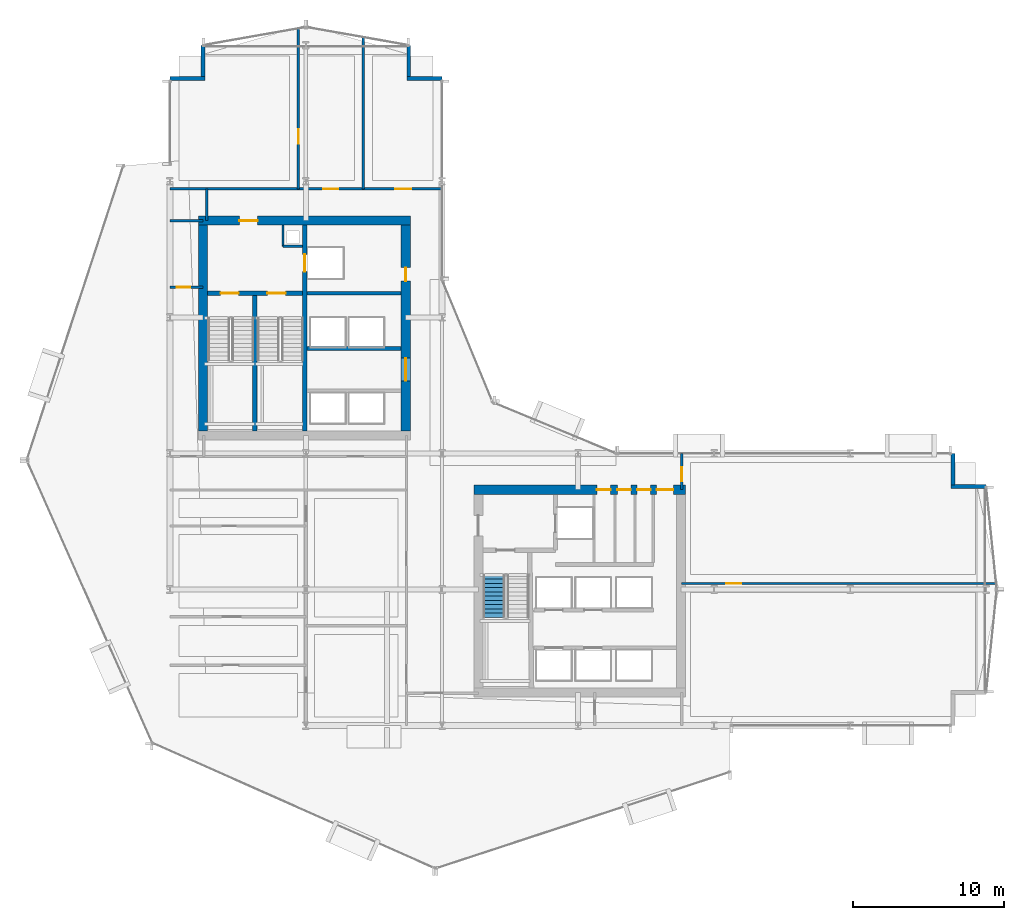
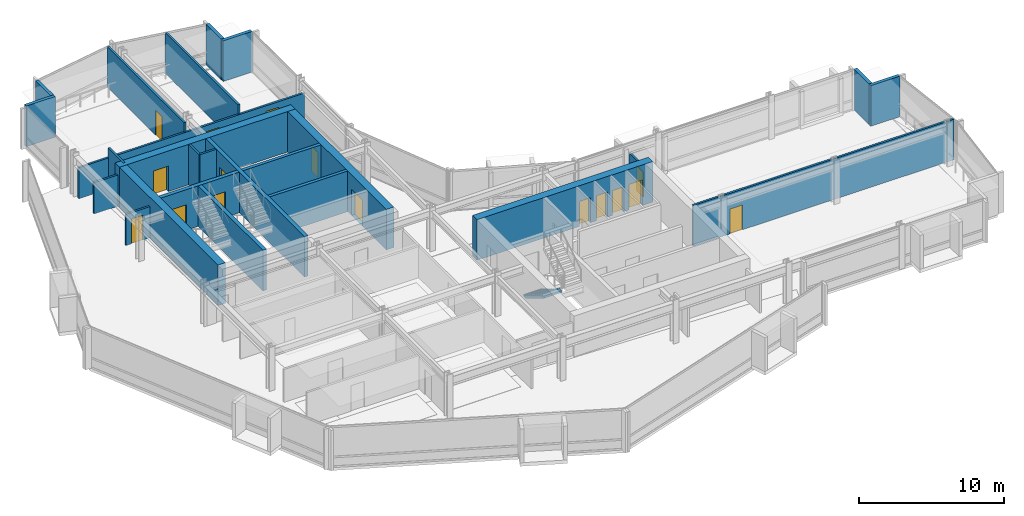
# One storey, part 28 of 34: 25 walls, 16 doors, 1 stair flight, 16 openings, 1 element without a shape of its own.
"""IFC4 building model written with IfcOpenShell, lengths in metres."""

from ifc_helpers import new_model, si_unit, direction, frame, frame_2d, origin, place, context, subcontext, project, spatial, polyline, rectangle, outline, extrude, material, layer, layer_set, type_object, element, fill, aggregate, save


model = new_model("IFC4")

# Units and contexts
model_context = context("Model", 3, precision=1e-05, world=origin(), true_north=direction((0.0, 1.0)))
body_context = subcontext(model_context, "Body", "Model", "MODEL_VIEW")
ifc_project = project(units=[si_unit("LENGTHUNIT", "METRE"), si_unit("AREAUNIT", "SQUARE_METRE"), si_unit("VOLUMEUNIT", "CUBIC_METRE"), si_unit("PLANEANGLEUNIT", "RADIAN"), si_unit("MASSUNIT", "GRAM", prefix="KILO")], contexts=[model_context])

# Site, building, storey
site_placement = place(None, origin())
site = spatial("IfcSite", under=ifc_project, at=site_placement, CompositionType="ELEMENT")
building_placement = place(site_placement, origin())
building = spatial("IfcBuilding", under=site, at=building_placement, Name="Solvaryn Broadcast Tower", CompositionType="ELEMENT")
storey_placement = place(building_placement, frame((0.0, 0.0, 58.199951171875)))
storey = spatial("IfcBuildingStorey", under=building, at=storey_placement, Name="L13", CompositionType="ELEMENT", Elevation=58.199951171875)

# Wall, opening, door
ifc_material_1 = material(Name="Concrete f'c 70 MPa", Category="concrete")
ifc_layer_1 = layer(ifc_material_1, 0.60009765625)
ifc_layer_set_1 = layer_set([ifc_layer_1], Name="CW-SHEAR-600")
wall_type_1 = type_object("IfcWallType", Name="CW-SHEAR-600", PredefinedType="SHEAR", material=ifc_layer_set_1)
wall_1_placement = place(storey_placement, frame((24.89990234375, 42.39990234375, 0.0), z_axis=(0.0, 0.0, 1.0), x_axis=(-1.0, 0.0, 0.0)))
wall_1 = element("IfcWall", 1, at=wall_1_placement, inside=storey, type_object=wall_type_1, Name="L13 West Core North Shear Wall", PredefinedType="SHEAR", context=body_context, shape_type="SweptSolid", body=[
    extrude(rectangle(XDim=14.0, YDim=0.60009765625, at=frame_2d((7.0, 0.0))), origin(), (0.0, 0.0, 1.0), 3.420166015625),
])
opening_1_placement = place(wall_1_placement, frame((10.10009765625, 0.0, 0.0)))
opening_1 = element("IfcOpeningElement", 2, at=opening_1_placement, cuts=wall_1, Name="Opening FD90A", PredefinedType="OPENING", context=body_context, shape_type="SweptSolid", body=[
    extrude(rectangle(XDim=1.199951171875, YDim=2.14990234375, at=frame_2d((0.60009765625, 1.074951171875))), frame((0.0, 0.31005859375, 0.0), z_axis=(0.0, -1.0, 0.0), x_axis=(1.0, 0.0, 0.0)), (0.0, 0.0, 1.0), 0.6201171875),
])
ifc_material_2 = material(Name="Flush Acoustic Steel and Timber Door Assembly", Category="steel")
door_type_1 = type_object("IfcDoorType", Name="FD90-STAIR-1200X2150", OperationType="NOTDEFINED", PredefinedType="DOOR", material=ifc_material_2)
door_1_placement = place(opening_1_placement, origin())
door_1 = element("IfcDoor", 3, at=door_1_placement, inside=storey, type_object=door_type_1, Name="L13 West FSAE Lobby Corridor Door", OperationType="SINGLE_SWING_LEFT", OverallHeight=2.14990234375, OverallWidth=1.199951171875, PredefinedType="DOOR", context=body_context, shape_type="SweptSolid", body=[
    extrude(rectangle(XDim=1.199951171875, YDim=2.14990234375, at=frame_2d((0.60009765625, 1.074951171875))), frame((0.0, 0.02490234375, 0.0), z_axis=(0.0, -1.0, 0.0), x_axis=(1.0, 0.0, 0.0)), (0.0, 0.0, 1.0), 0.050048828125),
])
fill(opening_1, door_1)

# Wall
wall_2_placement = place(storey_placement, frame((11.199951171875, 42.10009765625, 0.0), z_axis=(0.0, 0.0, 1.0), x_axis=(0.0, -1.0, 0.0)))
element("IfcWall", 4, at=wall_2_placement, inside=storey, type_object=wall_type_1, Name="L13 West Core West Shear Wall", PredefinedType="SHEAR", context=body_context, shape_type="SweptSolid", body=[
    extrude(rectangle(XDim=13.60009765625, YDim=0.60009765625, at=frame_2d((6.800048828125, 0.0))), origin(), (0.0, 0.0, 1.0), 3.420166015625),
])

# Wall, openings, doors
wall_3_placement = place(storey_placement, frame((24.60009765625, 28.5, 0.0), z_axis=(0.0, 0.0, 1.0), x_axis=(0.0, 1.0, 0.0)))
wall_3 = element("IfcWall", 5, at=wall_3_placement, inside=storey, type_object=wall_type_1, Name="L13 West Core East Shear Wall", PredefinedType="SHEAR", context=body_context, shape_type="SweptSolid", body=[
    extrude(rectangle(XDim=13.60009765625, YDim=0.60009765625, at=frame_2d((6.800048828125, 0.0))), origin(), (0.0, 0.0, 1.0), 3.420166015625),
])
opening_2_placement = place(wall_3_placement, frame((3.300048828125, 0.0, 0.0)))
opening_2 = element("IfcOpeningElement", 6, at=opening_2_placement, cuts=wall_3, Name="Opening FD60A", PredefinedType="OPENING", context=body_context, shape_type="SweptSolid", body=[
    extrude(rectangle(XDim=1.5, YDim=2.199951171875, at=frame_2d((0.75, 1.10009765625))), frame((0.0, 0.31005859375, 0.0), z_axis=(0.0, -1.0, 0.0), x_axis=(1.0, 0.0, 0.0)), (0.0, 0.0, 1.0), 0.6201171875),
])
opening_3_placement = place(wall_3_placement, frame((9.89990234375, 0.0, 0.0)))
opening_3 = element("IfcOpeningElement", 7, at=opening_3_placement, cuts=wall_3, Name="Opening FD60C", PredefinedType="OPENING", context=body_context, shape_type="SweptSolid", body=[
    extrude(rectangle(XDim=0.89990234375, YDim=2.10009765625, at=frame_2d((0.449951171875, 1.050048828125))), frame((0.0, 0.31005859375, 0.0), z_axis=(0.0, -1.0, 0.0), x_axis=(1.0, 0.0, 0.0)), (0.0, 0.0, 1.0), 0.6201171875),
])
ifc_material_3 = material(Name="Flush Acoustic Steel and Timber Door Assembly", Category="steel")
door_type_2 = type_object("IfcDoorType", Name="FD60-CORR-1500X2200", OperationType="NOTDEFINED", PredefinedType="DOOR", material=ifc_material_3)
door_2_placement = place(opening_2_placement, origin())
door_2 = element("IfcDoor", 8, at=door_2_placement, inside=storey, type_object=door_type_2, Name="L13 West Elevator Lobby Corridor Door", OperationType="DOUBLE_DOOR_SINGLE_SWING", OverallHeight=2.199951171875, OverallWidth=1.5, PredefinedType="DOOR", context=body_context, shape_type="SweptSolid", body=[
    extrude(rectangle(XDim=1.5, YDim=2.199951171875, at=frame_2d((0.75, 1.10009765625))), frame((0.0, 0.02490234375, 0.0), z_axis=(0.0, -1.0, 0.0), x_axis=(1.0, 0.0, 0.0)), (0.0, 0.0, 1.0), 0.050048828125),
])
fill(opening_2, door_2)
ifc_material_4 = material(Name="Flush Acoustic Steel and Timber Door Assembly", Category="steel")
door_type_3 = type_object("IfcDoorType", Name="FD60-SERV-900X2100", OperationType="NOTDEFINED", PredefinedType="DOOR", material=ifc_material_4)
door_3_placement = place(opening_3_placement, origin())
door_3 = element("IfcDoor", 9, at=door_3_placement, inside=storey, type_object=door_type_3, Name="L13 West Core Service Door 1", OperationType="SINGLE_SWING_LEFT", OverallHeight=2.10009765625, OverallWidth=0.89990234375, PredefinedType="DOOR", context=body_context, shape_type="SweptSolid", body=[
    extrude(rectangle(XDim=0.89990234375, YDim=2.10009765625, at=frame_2d((0.449951171875, 1.050048828125))), frame((0.0, 0.02490234375, 0.0), z_axis=(0.0, -1.0, 0.0), x_axis=(1.0, 0.0, 0.0)), (0.0, 0.0, 1.0), 0.050048828125),
])
fill(opening_3, door_3)

wall_4_placement = place(storey_placement, frame((43.10009765625, 24.60009765625, 0.0), z_axis=(0.0, 0.0, 1.0), x_axis=(-1.0, 0.0, 0.0)))
wall_4 = element("IfcWall", 10, at=wall_4_placement, inside=storey, type_object=wall_type_1, Name="L13 East Core North Shear Wall", PredefinedType="SHEAR", context=body_context, shape_type="SweptSolid", body=[
    extrude(rectangle(XDim=14.0, YDim=0.60009765625, at=frame_2d((7.0, 0.0))), origin(), (0.0, 0.0, 1.0), 3.420166015625),
])
opening_4_placement = place(wall_4_placement, frame((0.800048828125, 0.0, 0.0)))
opening_4 = element("IfcOpeningElement", 11, at=opening_4_placement, cuts=wall_4, Name="Opening FD90C", PredefinedType="OPENING", context=body_context, shape_type="SweptSolid", body=[
    extrude(rectangle(XDim=1.10009765625, YDim=2.14990234375, at=frame_2d((0.550048828125, 1.074951171875))), frame((0.0, 0.31005859375, 0.0), z_axis=(0.0, -1.0, 0.0), x_axis=(1.0, 0.0, 0.0)), (0.0, 0.0, 1.0), 0.6201171875),
])
opening_5_placement = place(wall_4_placement, frame((2.300048828125, 0.0, 0.0)))
opening_5 = element("IfcOpeningElement", 12, at=opening_5_placement, cuts=wall_4, Name="Opening FD60C", PredefinedType="OPENING", context=body_context, shape_type="SweptSolid", body=[
    extrude(rectangle(XDim=0.89990234375, YDim=2.10009765625, at=frame_2d((0.449951171875, 1.050048828125))), frame((0.0, 0.31005859375, 0.0), z_axis=(0.0, -1.0, 0.0), x_axis=(1.0, 0.0, 0.0)), (0.0, 0.0, 1.0), 0.6201171875),
])
opening_6_placement = place(wall_4_placement, frame((3.60009765625, 0.0, 0.0)))
opening_6 = element("IfcOpeningElement", 13, at=opening_6_placement, cuts=wall_4, Name="Opening FD60C", PredefinedType="OPENING", context=body_context, shape_type="SweptSolid", body=[
    extrude(rectangle(XDim=0.89990234375, YDim=2.10009765625, at=frame_2d((0.449951171875, 1.050048828125))), frame((0.0, 0.31005859375, 0.0), z_axis=(0.0, -1.0, 0.0), x_axis=(1.0, 0.0, 0.0)), (0.0, 0.0, 1.0), 0.6201171875),
])
opening_7_placement = place(wall_4_placement, frame((4.949951171875, 0.0, 0.0)))
opening_7 = element("IfcOpeningElement", 14, at=opening_7_placement, cuts=wall_4, Name="Opening FD60C", PredefinedType="OPENING", context=body_context, shape_type="SweptSolid", body=[
    extrude(rectangle(XDim=0.89990234375, YDim=2.10009765625, at=frame_2d((0.449951171875, 1.050048828125))), frame((0.0, 0.31005859375, 0.0), z_axis=(0.0, -1.0, 0.0), x_axis=(1.0, 0.0, 0.0)), (0.0, 0.0, 1.0), 0.6201171875),
])
door_4_placement = place(opening_5_placement, origin())
door_4 = element("IfcDoor", 15, at=door_4_placement, inside=storey, type_object=door_type_3, Name="L13 Core Wellness Room Door", OperationType="SINGLE_SWING_RIGHT", OverallHeight=2.10009765625, OverallWidth=0.89990234375, PredefinedType="DOOR", context=body_context, shape_type="SweptSolid", body=[
    extrude(rectangle(XDim=0.89990234375, YDim=2.10009765625, at=frame_2d((0.449951171875, 1.050048828125))), frame((0.0, 0.02490234375, 0.0), z_axis=(0.0, -1.0, 0.0), x_axis=(1.0, 0.0, 0.0)), (0.0, 0.0, 1.0), 0.050048828125),
])
fill(opening_5, door_4)
door_5_placement = place(opening_6_placement, origin())
door_5 = element("IfcDoor", 16, at=door_5_placement, inside=storey, type_object=door_type_3, Name="L13 Staff Restroom Door", OperationType="SINGLE_SWING_LEFT", OverallHeight=2.10009765625, OverallWidth=0.89990234375, PredefinedType="DOOR", context=body_context, shape_type="SweptSolid", body=[
    extrude(rectangle(XDim=0.89990234375, YDim=2.10009765625, at=frame_2d((0.449951171875, 1.050048828125))), frame((0.0, 0.02490234375, 0.0), z_axis=(0.0, -1.0, 0.0), x_axis=(1.0, 0.0, 0.0)), (0.0, 0.0, 1.0), 0.050048828125),
])
fill(opening_6, door_5)
door_6_placement = place(opening_7_placement, origin())
door_6 = element("IfcDoor", 17, at=door_6_placement, inside=storey, type_object=door_type_3, Name="L13 Accessible WC Door", OperationType="SINGLE_SWING_RIGHT", OverallHeight=2.10009765625, OverallWidth=0.89990234375, PredefinedType="DOOR", context=body_context, shape_type="SweptSolid", body=[
    extrude(rectangle(XDim=0.89990234375, YDim=2.10009765625, at=frame_2d((0.449951171875, 1.050048828125))), frame((0.0, 0.02490234375, 0.0), z_axis=(0.0, -1.0, 0.0), x_axis=(1.0, 0.0, 0.0)), (0.0, 0.0, 1.0), 0.050048828125),
])
fill(opening_7, door_6)
ifc_material_5 = material(Name="Flush Acoustic Steel and Timber Door Assembly", Category="steel")
door_type_4 = type_object("IfcDoorType", Name="FD90-PLANT-1100X2150", OperationType="NOTDEFINED", PredefinedType="DOOR", material=ifc_material_5)
door_7_placement = place(opening_4_placement, origin())
door_7 = element("IfcDoor", 18, at=door_7_placement, inside=storey, type_object=door_type_4, Name="L13 East Core Lobby Corridor Door", OperationType="SINGLE_SWING_LEFT", OverallHeight=2.14990234375, OverallWidth=1.10009765625, PredefinedType="DOOR", context=body_context, shape_type="SweptSolid", body=[
    extrude(rectangle(XDim=1.10009765625, YDim=2.14990234375, at=frame_2d((0.550048828125, 1.074951171875))), frame((0.0, 0.02490234375, 0.0), z_axis=(0.0, -1.0, 0.0), x_axis=(1.0, 0.0, 0.0)), (0.0, 0.0, 1.0), 0.050048828125),
])
fill(opening_4, door_7)

# Walls
ifc_material_6 = material(Name="Concrete f'c 50 MPa", Category="concrete")
ifc_layer_2 = layer(ifc_material_6, 0.260009765625)
ifc_layer_set_2 = layer_set([ifc_layer_2], Name="EW-PIER-260")
wall_type_2 = type_object("IfcWallType", Name="EW-PIER-260", PredefinedType="SOLIDWALL", material=ifc_layer_set_2)
wall_5_placement = place(storey_placement, frame((9.0, 51.800048828125, 0.0), z_axis=(0.0, 0.0, 1.0), x_axis=(1.0, 0.0, 0.0)))
element("IfcWall", 19, at=wall_5_placement, inside=storey, type_object=wall_type_2, Name="L13 Notched Corner Pier Wall NNW1", PredefinedType="SOLIDWALL", context=body_context, shape_type="SweptSolid", body=[
    extrude(rectangle(XDim=2.320068359375, YDim=0.260009765625, at=frame_2d((1.16015625, 0.0))), origin(), (0.0, 0.0, 1.0), 3.420166015625),
])
for number, where, z_axis, x_axis, name in (
    (20, (11.199951171875, 51.919921875, 0.0), (0.0, 0.0, 1.0), (0.0, 1.0, 0.0), "L13 Notched Corner Pier Wall NNW2"),
    (21, (24.800048828125, 54.0, 0.0), (0.0, 0.0, 1.0), (0.0, -1.0, 0.0), "L13 Notched Corner Pier Wall NNE1"),
):
    element("IfcWall", number, at=place(storey_placement, frame(where, z_axis=z_axis, x_axis=x_axis)), inside=storey, type_object=wall_type_2, Name=name, PredefinedType="SOLIDWALL", context=body_context, shape_type="SweptSolid", body=[
        extrude(rectangle(XDim=2.080078125, YDim=0.260009765625, at=frame_2d((1.0400390625, 0.0))), origin(), (0.0, 0.0, 1.0), 3.420166015625),
    ])
for number, where, z_axis, x_axis, name in (
    (22, (24.679931640625, 51.800048828125, 0.0), (0.0, 0.0, 1.0), (1.0, 0.0, 0.0), "L13 Notched Corner Pier Wall NNE2"),
    (23, (63.0, 24.800048828125, 0.0), (0.0, 0.0, 1.0), (-1.0, 0.0, 0.0), "L13 Notched Corner Pier Wall NEE1"),
):
    element("IfcWall", number, at=place(storey_placement, frame(where, z_axis=z_axis, x_axis=x_axis)), inside=storey, type_object=wall_type_2, Name=name, PredefinedType="SOLIDWALL", context=body_context, shape_type="SweptSolid", body=[
        extrude(rectangle(XDim=2.320068359375, YDim=0.260009765625, at=frame_2d((1.16015625, 0.0))), origin(), (0.0, 0.0, 1.0), 3.420166015625),
    ])
wall_6_placement = place(storey_placement, frame((60.800048828125, 24.919921875, 0.0), z_axis=(0.0, 0.0, 1.0), x_axis=(0.0, 1.0, 0.0)))
element("IfcWall", 24, at=wall_6_placement, inside=storey, type_object=wall_type_2, Name="L13 Notched Corner Pier Wall NEE2", PredefinedType="SOLIDWALL", context=body_context, shape_type="SweptSolid", body=[
    extrude(rectangle(XDim=2.080078125, YDim=0.260009765625, at=frame_2d((1.0400390625, 0.0))), origin(), (0.0, 0.0, 1.0), 3.420166015625),
])
ifc_material_7 = material(Name="Metal-Stud Service Core Partition")
ifc_layer_3 = layer(ifc_material_7, 0.14990234375)
ifc_layer_set_3 = layer_set([ifc_layer_3], Name="IW-PART-150")
wall_type_3 = type_object("IfcWallType", Name="IW-PART-150", PredefinedType="PARTITIONING", material=ifc_layer_set_3)
wall_7_placement = place(storey_placement, frame((16.47998046875, 40.699951171875, 0.0), z_axis=(0.0, 0.0, 1.0), x_axis=(1.0, 0.0, 0.0)))
element("IfcWall", 25, at=wall_7_placement, inside=storey, type_object=wall_type_3, Name="L13 West Core Riser Shaft South Wall", PredefinedType="PARTITIONING", context=body_context, shape_type="SweptSolid", body=[
    extrude(rectangle(XDim=1.2900390625, YDim=0.14990234375, at=frame_2d((0.64501953125, 0.0))), origin(), (0.0, 0.0, 1.0), 3.420166015625),
])
wall_8_placement = place(storey_placement, frame((16.47998046875, 40.699951171875, 0.0), z_axis=(0.0, 0.0, 1.0), x_axis=(0.0, 1.0, 0.0)))
element("IfcWall", 26, at=wall_8_placement, inside=storey, type_object=wall_type_3, Name="L13 West Core Riser Shaft West Wall", PredefinedType="PARTITIONING", context=body_context, shape_type="SweptSolid", body=[
    extrude(rectangle(XDim=1.400146484375, YDim=0.14990234375, at=frame_2d((0.7001953125, 0.0))), origin(), (0.0, 0.0, 1.0), 3.420166015625),
])

# Wall, opening, door
wall_9_placement = place(storey_placement, frame((9.0, 38.0, 0.0), z_axis=(0.0, 0.0, 1.0), x_axis=(1.0, 0.0, 0.0)))
wall_9 = element("IfcWall", 27, at=wall_9_placement, inside=storey, type_object=wall_type_3, Name="L13 Interior Partition IW-L13-WM-M", PredefinedType="PARTITIONING", context=body_context, shape_type="SweptSolid", body=[
    extrude(rectangle(XDim=2.199951171875, YDim=0.14990234375, at=frame_2d((1.10009765625, 0.0))), origin(), (0.0, 0.0, 1.0), 2.626953125),
])
opening_8_placement = place(wall_9_placement, frame((0.449951171875, 0.0, 0.0)))
opening_8 = element("IfcOpeningElement", 28, at=opening_8_placement, cuts=wall_9, Name="Opening FD60C", PredefinedType="OPENING", context=body_context, shape_type="SweptSolid", body=[
    extrude(rectangle(XDim=0.89990234375, YDim=2.10009765625, at=frame_2d((0.449951171875, 1.050048828125))), frame((0.0, 0.0849609375, 0.0), z_axis=(0.0, -1.0, 0.0), x_axis=(1.0, 0.0, 0.0)), (0.0, 0.0, 1.0), 0.169921875),
])
door_8_placement = place(opening_8_placement, origin())
door_8 = element("IfcDoor", 29, at=door_8_placement, inside=storey, type_object=door_type_3, Name="L13 Door DR-L13-WM1", OperationType="SINGLE_SWING_RIGHT", OverallHeight=2.10009765625, OverallWidth=0.89990234375, PredefinedType="DOOR", context=body_context, shape_type="SweptSolid", body=[
    extrude(rectangle(XDim=0.89990234375, YDim=2.10009765625, at=frame_2d((0.449951171875, 1.050048828125))), frame((0.0, 0.02490234375, 0.0), z_axis=(0.0, -1.0, 0.0), x_axis=(1.0, 0.0, 0.0)), (0.0, 0.0, 1.0), 0.050048828125),
])
fill(opening_8, door_8)

# Walls
ifc_material_8 = material(Name="Metal-Stud Gypsum Office Partition")
ifc_layer_4 = layer(ifc_material_8, 0.159912109375)
ifc_layer_set_4 = layer_set([ifc_layer_4], Name="IW-PART-160")
wall_type_4 = type_object("IfcWallType", Name="IW-PART-160", PredefinedType="PARTITIONING", material=ifc_layer_set_4)
wall_10_placement = place(storey_placement, frame((9.0, 42.39990234375, 0.0), z_axis=(0.0, 0.0, 1.0), x_axis=(1.0, 0.0, 0.0)))
element("IfcWall", 30, at=wall_10_placement, inside=storey, type_object=wall_type_4, Name="L13 Interior Partition IW-L13-WM-N", PredefinedType="PARTITIONING", context=body_context, shape_type="SweptSolid", body=[
    extrude(rectangle(XDim=2.199951171875, YDim=0.159912109375, at=frame_2d((1.10009765625, 0.0))), origin(), (0.0, 0.0, 1.0), 2.626953125),
])
wall_11_placement = place(storey_placement, frame((11.449951171875, 42.39990234375, 0.0), z_axis=(0.0, 0.0, 1.0), x_axis=(0.0, 1.0, 0.0)))
element("IfcWall", 31, at=wall_11_placement, inside=storey, type_object=wall_type_4, Name="L13 Interior Partition IW-L13-WM-E", PredefinedType="PARTITIONING", context=body_context, shape_type="SweptSolid", body=[
    extrude(rectangle(XDim=2.10009765625, YDim=0.159912109375, at=frame_2d((1.050048828125, 0.0))), origin(), (0.0, 0.0, 1.0), 3.420166015625),
])

# Wall, openings, doors
wall_12_placement = place(storey_placement, frame((9.0, 44.5, 0.0), z_axis=(0.0, 0.0, 1.0), x_axis=(1.0, 0.0, 0.0)))
wall_12 = element("IfcWall", 32, at=wall_12_placement, inside=storey, type_object=wall_type_4, Name="L13 Interior Partition IW-L13-NW-SB", PredefinedType="PARTITIONING", context=body_context, shape_type="SweptSolid", body=[
    extrude(rectangle(XDim=18.0, YDim=0.159912109375, at=frame_2d((9.0, 0.0))), origin(), (0.0, 0.0, 1.0), 2.626953125),
])
opening_9_placement = place(wall_12_placement, frame((10.14990234375, 0.0, 0.0)))
opening_9 = element("IfcOpeningElement", 33, at=opening_9_placement, cuts=wall_12, Name="Opening ID02", PredefinedType="OPENING", context=body_context, shape_type="SweptSolid", body=[
    extrude(rectangle(XDim=1.0, YDim=2.10009765625, at=frame_2d((0.5, 1.050048828125))), frame((0.0, 0.090087890625, 0.0), z_axis=(0.0, -1.0, 0.0), x_axis=(1.0, 0.0, 0.0)), (0.0, 0.0, 1.0), 0.179931640625),
])
opening_10_placement = place(wall_12_placement, frame((14.89990234375, 0.0, 0.0)))
opening_10 = element("IfcOpeningElement", 34, at=opening_10_placement, cuts=wall_12, Name="Opening ID03", PredefinedType="OPENING", context=body_context, shape_type="SweptSolid", body=[
    extrude(rectangle(XDim=1.050048828125, YDim=2.14990234375, at=frame_2d((0.52490234375, 1.074951171875))), frame((0.0, 0.090087890625, 0.0), z_axis=(0.0, -1.0, 0.0), x_axis=(1.0, 0.0, 0.0)), (0.0, 0.0, 1.0), 0.179931640625),
])
ifc_material_9 = material(Name="Flush Acoustic Steel and Timber Door Assembly", Category="steel")
door_type_5 = type_object("IfcDoorType", Name="ID-02-1000X2100", OperationType="NOTDEFINED", PredefinedType="DOOR", material=ifc_material_9)
door_9_placement = place(opening_9_placement, origin())
door_9 = element("IfcDoor", 35, at=door_9_placement, inside=storey, type_object=door_type_5, Name="L13 Door DR-L13-NW-2", OperationType="SINGLE_SWING_RIGHT", OverallHeight=2.10009765625, OverallWidth=1.0, PredefinedType="DOOR", context=body_context, shape_type="SweptSolid", body=[
    extrude(rectangle(XDim=1.0, YDim=2.10009765625, at=frame_2d((0.5, 1.050048828125))), frame((0.0, 0.02490234375, 0.0), z_axis=(0.0, -1.0, 0.0), x_axis=(1.0, 0.0, 0.0)), (0.0, 0.0, 1.0), 0.050048828125),
])
fill(opening_9, door_9)
ifc_material_10 = material(Name="Flush Acoustic Steel and Timber Door Assembly", Category="steel")
door_type_6 = type_object("IfcDoorType", Name="ID-03-1050X2150", OperationType="NOTDEFINED", PredefinedType="DOOR", material=ifc_material_10)
door_10_placement = place(opening_10_placement, origin())
door_10 = element("IfcDoor", 36, at=door_10_placement, inside=storey, type_object=door_type_6, Name="L13 Door DR-L13-NW-3", OperationType="SINGLE_SWING_LEFT", OverallHeight=2.14990234375, OverallWidth=1.050048828125, PredefinedType="DOOR", context=body_context, shape_type="SweptSolid", body=[
    extrude(rectangle(XDim=1.050048828125, YDim=2.14990234375, at=frame_2d((0.52490234375, 1.074951171875))), frame((0.0, 0.02490234375, 0.0), z_axis=(0.0, -1.0, 0.0), x_axis=(1.0, 0.0, 0.0)), (0.0, 0.0, 1.0), 0.050048828125),
])
fill(opening_10, door_10)

# Wall, opening, door
wall_13_placement = place(storey_placement, frame((17.5, 44.5, 0.0), z_axis=(0.0, 0.0, 1.0), x_axis=(0.0, 1.0, 0.0)))
wall_13 = element("IfcWall", 37, at=wall_13_placement, inside=storey, type_object=wall_type_4, Name="L13 Interior Partition IW-L13-NW-V1", PredefinedType="PARTITIONING", context=body_context, shape_type="SweptSolid", body=[
    extrude(rectangle(XDim=10.612060546875, YDim=0.159912109375, at=frame_2d((5.30615234375, 0.0))), origin(), (0.0, 0.0, 1.0), 3.420166015625),
])
opening_11_placement = place(wall_13_placement, frame((3.0, 0.0, 0.0)))
opening_11 = element("IfcOpeningElement", 38, at=opening_11_placement, cuts=wall_13, Name="Opening ID01", PredefinedType="OPENING", context=body_context, shape_type="SweptSolid", body=[
    extrude(rectangle(XDim=0.949951171875, YDim=2.10009765625, at=frame_2d((0.47509765625, 1.050048828125))), frame((0.0, 0.090087890625, 0.0), z_axis=(0.0, -1.0, 0.0), x_axis=(1.0, 0.0, 0.0)), (0.0, 0.0, 1.0), 0.179931640625),
])
ifc_material_11 = material(Name="Flush Acoustic Steel and Timber Door Assembly", Category="steel")
door_type_7 = type_object("IfcDoorType", Name="ID-01-950X2100", OperationType="NOTDEFINED", PredefinedType="DOOR", material=ifc_material_11)
door_11_placement = place(opening_11_placement, origin())
door_11 = element("IfcDoor", 39, at=door_11_placement, inside=storey, type_object=door_type_7, Name="L13 Door DR-L13-NW-C1", OperationType="SINGLE_SWING_LEFT", OverallHeight=2.10009765625, OverallWidth=0.949951171875, PredefinedType="DOOR", context=body_context, shape_type="SweptSolid", body=[
    extrude(rectangle(XDim=0.949951171875, YDim=2.10009765625, at=frame_2d((0.47509765625, 1.050048828125))), frame((0.0, 0.02490234375, 0.0), z_axis=(0.0, -1.0, 0.0), x_axis=(1.0, 0.0, 0.0)), (0.0, 0.0, 1.0), 0.050048828125),
])
fill(opening_11, door_11)

# Wall
wall_14_placement = place(storey_placement, frame((21.800048828125, 44.5, 0.0), z_axis=(0.0, 0.0, 1.0), x_axis=(0.0, 1.0, 0.0)))
element("IfcWall", 40, at=wall_14_placement, inside=storey, type_object=wall_type_4, Name="L13 Interior Partition IW-L13-NW-V2", PredefinedType="PARTITIONING", context=body_context, shape_type="SweptSolid", body=[
    extrude(rectangle(XDim=10.029052734375, YDim=0.159912109375, at=frame_2d((5.0146484375, 0.0))), origin(), (0.0, 0.0, 1.0), 3.420166015625),
])

# Wall, opening, door
wall_15_placement = place(storey_placement, frame((42.85009765625, 24.60009765625, 0.0), z_axis=(0.0, 0.0, 1.0), x_axis=(0.0, 1.0, 0.0)))
wall_15 = element("IfcWall", 41, at=wall_15_placement, inside=storey, type_object=wall_type_4, Name="L13 Interior Partition IW-L13-EW-BN", PredefinedType="PARTITIONING", context=body_context, shape_type="SweptSolid", body=[
    extrude(rectangle(XDim=2.39990234375, YDim=0.159912109375, at=frame_2d((1.199951171875, 0.0))), origin(), (0.0, 0.0, 1.0), 2.626953125),
])
opening_12_placement = place(wall_15_placement, frame((0.550048828125, 0.0, 0.0)))
opening_12 = element("IfcOpeningElement", 42, at=opening_12_placement, cuts=wall_15, Name="Opening ID01", PredefinedType="OPENING", context=body_context, shape_type="SweptSolid", body=[
    extrude(rectangle(XDim=0.949951171875, YDim=2.10009765625, at=frame_2d((0.47509765625, 1.050048828125))), frame((0.0, 0.090087890625, 0.0), z_axis=(0.0, -1.0, 0.0), x_axis=(1.0, 0.0, 0.0)), (0.0, 0.0, 1.0), 0.179931640625),
])
door_12_placement = place(opening_12_placement, origin())
door_12 = element("IfcDoor", 43, at=door_12_placement, inside=storey, type_object=door_type_7, Name="L13 Door DR-L13-EW0", OperationType="SINGLE_SWING_RIGHT", OverallHeight=2.10009765625, OverallWidth=0.949951171875, PredefinedType="DOOR", context=body_context, shape_type="SweptSolid", body=[
    extrude(rectangle(XDim=0.949951171875, YDim=2.10009765625, at=frame_2d((0.47509765625, 1.050048828125))), frame((0.0, 0.02490234375, 0.0), z_axis=(0.0, -1.0, 0.0), x_axis=(1.0, 0.0, 0.0)), (0.0, 0.0, 1.0), 0.050048828125),
])
fill(opening_12, door_12)

wall_16_placement = place(storey_placement, frame((42.85009765625, 18.39990234375, 0.0), z_axis=(0.0, 0.0, 1.0), x_axis=(1.0, 0.0, 0.0)))
wall_16 = element("IfcWall", 44, at=wall_16_placement, inside=storey, type_object=wall_type_4, Name="L13 Interior Partition IW-L13-EW-H1", PredefinedType="PARTITIONING", context=body_context, shape_type="SweptSolid", body=[
    extrude(rectangle(XDim=20.808837890625, YDim=0.159912109375, at=frame_2d((10.404296875, 0.0))), origin(), (0.0, 0.0, 1.0), 3.420166015625),
])
opening_13_placement = place(wall_16_placement, frame((2.949951171875, 0.0, 0.0)))
opening_13 = element("IfcOpeningElement", 45, at=opening_13_placement, cuts=wall_16, Name="Opening ID02", PredefinedType="OPENING", context=body_context, shape_type="SweptSolid", body=[
    extrude(rectangle(XDim=1.0, YDim=2.10009765625, at=frame_2d((0.5, 1.050048828125))), frame((0.0, 0.090087890625, 0.0), z_axis=(0.0, -1.0, 0.0), x_axis=(1.0, 0.0, 0.0)), (0.0, 0.0, 1.0), 0.179931640625),
])
door_13_placement = place(opening_13_placement, origin())
door_13 = element("IfcDoor", 46, at=door_13_placement, inside=storey, type_object=door_type_5, Name="L13 Door DR-L13-EW-1", OperationType="SINGLE_SWING_LEFT", OverallHeight=2.10009765625, OverallWidth=1.0, PredefinedType="DOOR", context=body_context, shape_type="SweptSolid", body=[
    extrude(rectangle(XDim=1.0, YDim=2.10009765625, at=frame_2d((0.5, 1.050048828125))), frame((0.0, 0.02490234375, 0.0), z_axis=(0.0, -1.0, 0.0), x_axis=(1.0, 0.0, 0.0)), (0.0, 0.0, 1.0), 0.050048828125),
])
fill(opening_13, door_13)

# Walls
ifc_material_12 = material(Name="Concrete f'c 60 MPa", Category="concrete")
ifc_layer_5 = layer(ifc_material_12, 0.25)
ifc_layer_set_5 = layer_set([ifc_layer_5], Name="SW-SHAFT-250")
wall_type_5 = type_object("IfcWallType", Name="SW-SHAFT-250", PredefinedType="PARTITIONING", material=ifc_layer_set_5)
for number, where, z_axis, x_axis, name in (
    (47, (18.070068359375, 37.60009765625, 0.0), (0.0, 0.0, 1.0), (1.0, 0.0, 0.0), "L13 West Core FSAE Hoistway Front Wall"),
    (48, (24.300048828125, 33.949951171875, 0.0), (0.0, 0.0, 1.0), (-1.0, 0.0, 0.0), "L13 High-Rise Lift Bank North Wall"),
):
    element("IfcWall", number, at=place(storey_placement, frame(where, z_axis=z_axis, x_axis=x_axis)), inside=storey, type_object=wall_type_5, Name=name, PredefinedType="PARTITIONING", context=body_context, shape_type="SweptSolid", body=[
        extrude(rectangle(XDim=6.22998046875, YDim=0.25, at=frame_2d((3.114990234375, 0.0))), origin(), (0.0, 0.0, 1.0), 3.420166015625),
    ])
ifc_material_13 = material(Name="Concrete f'c 70 MPa", Category="concrete")
ifc_layer_6 = layer(ifc_material_13, 0.300048828125)
ifc_layer_set_6 = layer_set([ifc_layer_6], Name="SW-SHAFT-300")
wall_type_6 = type_object("IfcWallType", Name="SW-SHAFT-300", PredefinedType="SHEAR", material=ifc_layer_set_6)
wall_17_placement = place(storey_placement, frame((14.6201171875, 28.5, 0.0), z_axis=(0.0, 0.0, 1.0), x_axis=(0.0, 1.0, 0.0)))
element("IfcWall", 49, at=wall_17_placement, inside=storey, type_object=wall_type_6, Name="L13 Stair 1-2 Dividing Wall", PredefinedType="SHEAR", context=body_context, shape_type="SweptSolid", body=[
    extrude(rectangle(XDim=8.949951171875, YDim=0.300048828125, at=frame_2d((4.47509765625, 0.0))), origin(), (0.0, 0.0, 1.0), 3.420166015625),
])

# Wall, opening, door
wall_18_placement = place(storey_placement, frame((17.919921875, 42.10009765625, 0.0), z_axis=(0.0, 0.0, 1.0), x_axis=(0.0, -1.0, 0.0)))
wall_18 = element("IfcWall", 50, at=wall_18_placement, inside=storey, type_object=wall_type_6, Name="L13 West Core Stair-Lobby Shear Wall", PredefinedType="SHEAR", context=body_context, shape_type="SweptSolid", body=[
    extrude(rectangle(XDim=13.60009765625, YDim=0.300048828125, at=frame_2d((6.800048828125, 0.0))), origin(), (0.0, 0.0, 1.0), 3.420166015625),
])
opening_14_placement = place(wall_18_placement, frame((1.925048828125, 0.0, 0.0)))
opening_14 = element("IfcOpeningElement", 51, at=opening_14_placement, cuts=wall_18, Name="Opening LD01", PredefinedType="OPENING", context=body_context, shape_type="SweptSolid", body=[
    extrude(rectangle(XDim=1.14990234375, YDim=2.14990234375, at=frame_2d((0.574951171875, 1.074951171875))), frame((0.0, 0.159912109375, 0.0), z_axis=(0.0, -1.0, 0.0), x_axis=(1.0, 0.0, 0.0)), (0.0, 0.0, 1.0), 0.320068359375),
])
ifc_material_14 = material(Name="Flush Acoustic Steel and Timber Door Assembly", Category="steel")
door_type_8 = type_object("IfcDoorType", Name="LD-LIFT-1150X2150", OperationType="NOTDEFINED", PredefinedType="DOOR", material=ifc_material_14)
door_14_placement = place(opening_14_placement, origin())
door_14 = element("IfcDoor", 52, at=door_14_placement, inside=storey, type_object=door_type_8, Name="L13 FL1 Lift Landing Door", OperationType="DOUBLE_DOOR_SLIDING", OverallHeight=2.14990234375, OverallWidth=1.14990234375, PredefinedType="DOOR", context=body_context, shape_type="SweptSolid", body=[
    extrude(rectangle(XDim=1.14990234375, YDim=2.14990234375, at=frame_2d((0.574951171875, 1.074951171875))), frame((0.0, 0.02490234375, 0.0), z_axis=(0.0, -1.0, 0.0), x_axis=(1.0, 0.0, 0.0)), (0.0, 0.0, 1.0), 0.050048828125),
])
fill(opening_14, door_14)

# Wall, openings, doors
wall_19_placement = place(storey_placement, frame((17.77001953125, 37.60009765625, 0.0), z_axis=(0.0, 0.0, 1.0), x_axis=(-1.0, 0.0, 0.0)))
wall_19 = element("IfcWall", 53, at=wall_19_placement, inside=storey, type_object=wall_type_6, Name="L13 West Core FSAE Lobby South Wall", PredefinedType="SHEAR", context=body_context, shape_type="SweptSolid", body=[
    extrude(rectangle(XDim=6.27001953125, YDim=0.300048828125, at=frame_2d((3.135009765625, 0.0))), origin(), (0.0, 0.0, 1.0), 3.420166015625),
])
opening_15_placement = place(wall_19_placement, frame((4.219970703125, 0.0, 0.0)))
opening_15 = element("IfcOpeningElement", 54, at=opening_15_placement, cuts=wall_19, Name="Opening FD90A", PredefinedType="OPENING", context=body_context, shape_type="SweptSolid", body=[
    extrude(rectangle(XDim=1.199951171875, YDim=2.14990234375, at=frame_2d((0.60009765625, 1.074951171875))), frame((0.0, 0.159912109375, 0.0), z_axis=(0.0, -1.0, 0.0), x_axis=(1.0, 0.0, 0.0)), (0.0, 0.0, 1.0), 0.320068359375),
])
opening_16_placement = place(wall_19_placement, frame((1.1201171875, 0.0, 0.0)))
opening_16 = element("IfcOpeningElement", 55, at=opening_16_placement, cuts=wall_19, Name="Opening FD90A", PredefinedType="OPENING", context=body_context, shape_type="SweptSolid", body=[
    extrude(rectangle(XDim=1.199951171875, YDim=2.14990234375, at=frame_2d((0.60009765625, 1.074951171875))), frame((0.0, 0.159912109375, 0.0), z_axis=(0.0, -1.0, 0.0), x_axis=(1.0, 0.0, 0.0)), (0.0, 0.0, 1.0), 0.320068359375),
])
door_15_placement = place(opening_15_placement, origin())
door_15 = element("IfcDoor", 56, at=door_15_placement, inside=storey, type_object=door_type_1, Name="L13 Stair 1 Fire Door", OperationType="SINGLE_SWING_LEFT", OverallHeight=2.14990234375, OverallWidth=1.199951171875, PredefinedType="DOOR", context=body_context, shape_type="SweptSolid", body=[
    extrude(rectangle(XDim=1.199951171875, YDim=2.14990234375, at=frame_2d((0.60009765625, 1.074951171875))), frame((0.0, 0.02490234375, 0.0), z_axis=(0.0, -1.0, 0.0), x_axis=(1.0, 0.0, 0.0)), (0.0, 0.0, 1.0), 0.050048828125),
])
fill(opening_15, door_15)
door_16_placement = place(opening_16_placement, origin())
door_16 = element("IfcDoor", 57, at=door_16_placement, inside=storey, type_object=door_type_1, Name="L13 Stair 2 Fire Door", OperationType="SINGLE_SWING_RIGHT", OverallHeight=2.14990234375, OverallWidth=1.199951171875, PredefinedType="DOOR", context=body_context, shape_type="SweptSolid", body=[
    extrude(rectangle(XDim=1.199951171875, YDim=2.14990234375, at=frame_2d((0.60009765625, 1.074951171875))), frame((0.0, 0.02490234375, 0.0), z_axis=(0.0, -1.0, 0.0), x_axis=(1.0, 0.0, 0.0)), (0.0, 0.0, 1.0), 0.050048828125),
])
fill(opening_16, door_16)

# Stair, stair flight
ifc_material_15 = material(Name="Concrete f'c 60 MPa", Category="concrete")
stair_type = type_object("IfcStairType", Name="ST-CORE", PredefinedType="HALF_TURN_STAIR", material=ifc_material_15)
stair_placement = place(storey_placement, origin())
stair = element("IfcStair", 58, at=stair_placement, inside=storey, type_object=stair_type, Name="L13 ST3", PredefinedType="HALF_TURN_STAIR")
ifc_material_16 = material(Name="Concrete f'c 60 MPa", Category="concrete")
ifc_layer_7 = layer(ifc_material_16, 0.159912109375)
ifc_layer_set_7 = layer_set([ifc_layer_7], Name="SF-CORE")
stair_flight_type = type_object("IfcStairFlightType", Name="SF-CORE", PredefinedType="STRAIGHT", material=ifc_layer_set_7)
stair_flight_placement = place(storey_placement, frame((30.43994140625, 18.9599609375, 0.0), z_axis=(0.0, 0.0, 1.0), x_axis=(0.0, -1.0, 0.0)))
stair_flight = element("IfcStairFlight", 59, at=stair_flight_placement, type_object=stair_flight_type, Name="ST3 flight 1", NumberOfRisers=11, NumberOfTreads=10, PredefinedType="STRAIGHT", RiserHeight=0.168181818, TreadLength=0.28, context=body_context, shape_type="SweptSolid", body=[
    extrude(outline(polyline([(0.0, 0.0), (0.0, 0.168212890625), (0.280029296875, 0.168212890625), (0.280029296875, 0.33642578125), (0.56005859375, 0.33642578125), (0.56005859375, 0.504638671875), (0.840087890625, 0.504638671875), (0.840087890625, 0.672607421875), (1.1201171875, 0.672607421875), (1.1201171875, 0.8408203125), (1.39990234375, 0.8408203125), (1.39990234375, 1.009033203125), (1.679931640625, 1.009033203125), (1.679931640625, 1.17724609375), (1.9599609375, 1.17724609375), (1.9599609375, 1.345458984375), (2.239990234375, 1.345458984375), (2.239990234375, 1.513671875), (2.52001953125, 1.513671875), (2.52001953125, 1.681884765625), (2.800048828125, 1.681884765625), (2.800048828125, 1.85009765625), (2.800048828125, 1.5068359375), (0.291015625, 0.0), (0.0, 0.0)])), frame((0.0, 0.719970703125, 0.0), z_axis=(0.0, -1.0, 0.0), x_axis=(1.0, 0.0, 0.0)), (0.0, 0.0, 1.0), 1.43994140625),
])
aggregate(stair, [stair_flight])

save(model, "model.ifc")
